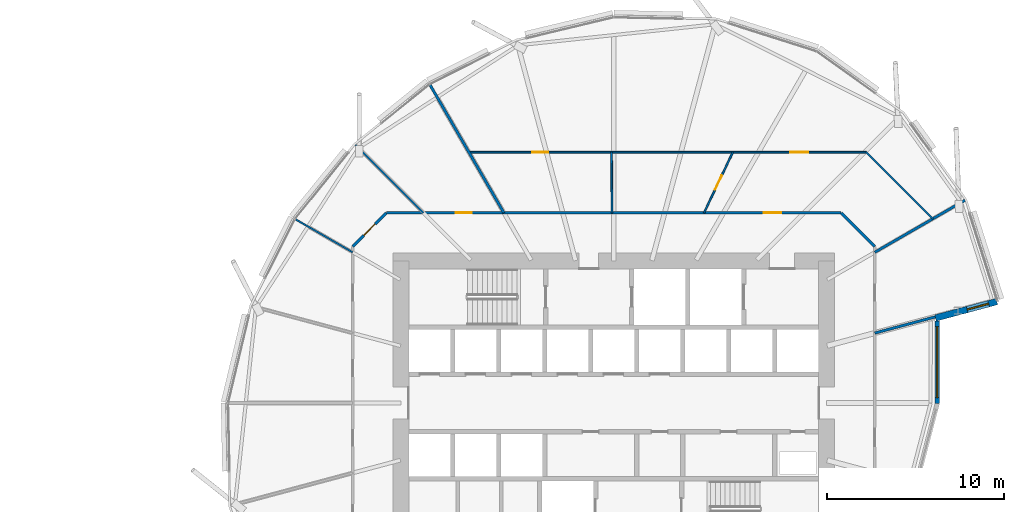
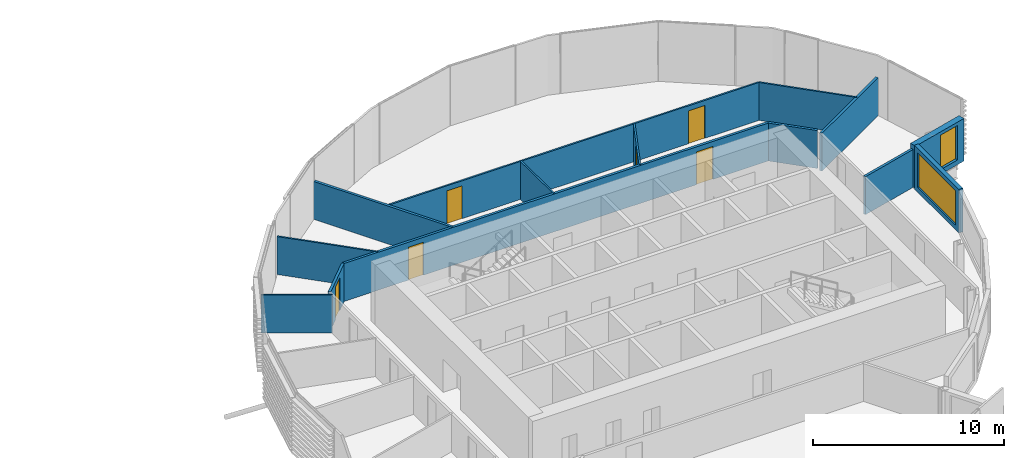
# One storey, part 26 of 37: 14 walls, 6 doors, 2 windows, 8 openings.
"""IFC4 building model written with IfcOpenShell, lengths in metres."""

import ifcopenshell
import ifcopenshell.guid

model = None  # the IFC model being written
_history = None  # IfcOwnerHistory: only IFC2X3 demands one
_inside = {}  # id of a spatial element -> (the spatial element, [elements in it])
_under = {}  # id of a project, library or spatial element -> (it, [spatial elements below it])
_declared = {}  # id of a project -> (the project, [libraries it declares])
_typed = {}  # id of a type object -> (the type object, [elements of that type])
_made_of = {}  # id of a material, layer set ... -> (it, [elements and type objects made of it])


def new_model(schema):
    """Start an empty IFC model of exactly this schema.

    Asked for "IFC4X3", IfcOpenShell would pick the latest addendum, in which some entities
    have other attributes; the version numbers below select the first issue.
    IFC2X3 requires an IfcOwnerHistory on every rooted entity: one is made here for all.
    """
    global model, _history
    if schema == "IFC4X3":
        model = ifcopenshell.file(schema_version=(4, 3, 0, 0))
    else:
        model = ifcopenshell.file(schema=schema)
    _inside.clear()
    _under.clear()
    _declared.clear()
    _typed.clear()
    _made_of.clear()
    _history = None
    if model.schema == "IFC2X3":
        org = make("IfcOrganization", Name="unknown")
        user = make(
            "IfcPersonAndOrganization",
            ThePerson=make("IfcPerson", FamilyName="unknown"),
            TheOrganization=org,
        )
        app = make(
            "IfcApplication",
            ApplicationDeveloper=org,
            Version="unknown",
            ApplicationFullName="unknown",
            ApplicationIdentifier="unknown",
        )
        _history = make(
            "IfcOwnerHistory",
            OwningUser=user,
            OwningApplication=app,
            ChangeAction="ADDED",
            CreationDate=0,
        )
    return model


def make(cls, **values):
    """One entity of the class cls with the attributes given. An attribute that is None is left unset."""
    return model.create_entity(
        cls, **{name: value for name, value in values.items() if value is not None}
    )


def rooted(cls, **values):
    """An entity with a GlobalId (a new one), such as an element, a storey or a relation."""
    return make(cls, GlobalId=ifcopenshell.guid.new(), OwnerHistory=_history, **values)


def si_unit(unit_type, name, prefix=None):
    """IfcSIUnit, for example si_unit("LENGTHUNIT", "METRE", prefix="MILLI")."""
    return make("IfcSIUnit", UnitType=unit_type, Prefix=prefix, Name=name)


def assignment(units):
    """IfcUnitAssignment: the units of a project."""
    return None if units is None else make("IfcUnitAssignment", Units=units)


def point(xyz):
    """IfcCartesianPoint."""
    return None if xyz is None else make("IfcCartesianPoint", Coordinates=xyz)


def direction(xyz):
    """IfcDirection."""
    return None if xyz is None else make("IfcDirection", DirectionRatios=xyz)


def frame(location, z_axis=None, x_axis=None):
    """IfcAxis2Placement3D, a coordinate frame: its origin and axes. An axis left out is left unset."""
    return make(
        "IfcAxis2Placement3D",
        Location=point(location),
        Axis=direction(z_axis),
        RefDirection=direction(x_axis),
    )


def frame_2d(location, x_axis=None):
    """IfcAxis2Placement2D, a coordinate frame in the plane: its origin and x axis."""
    return make(
        "IfcAxis2Placement2D", Location=point(location), RefDirection=direction(x_axis)
    )


def origin():
    """The frame at (0, 0, 0) with its axes left unset."""
    return frame((0.0, 0.0, 0.0))


def place(relative_to, where):
    """IfcLocalPlacement: puts the frame where relative to a parent placement (None: the world)."""
    return make(
        "IfcLocalPlacement", PlacementRelTo=relative_to, RelativePlacement=where
    )


def context(
    kind, dimensions, precision=None, world=None, true_north=None, identifier=None
):
    """IfcGeometricRepresentationContext, for example the 3D "Model" context."""
    return make(
        "IfcGeometricRepresentationContext",
        ContextIdentifier=identifier,
        ContextType=kind,
        CoordinateSpaceDimension=dimensions,
        Precision=precision,
        WorldCoordinateSystem=world,
        TrueNorth=true_north,
    )


def subcontext(parent, identifier, kind, view, scale=None):
    """IfcGeometricRepresentationSubContext, for example "Body" below "Model"."""
    return make(
        "IfcGeometricRepresentationSubContext",
        ContextIdentifier=identifier,
        ContextType=kind,
        ParentContext=parent,
        TargetScale=scale,
        TargetView=view,
    )


def project(units=None, contexts=None):
    """IfcProject with its units and contexts."""
    return rooted(
        "IfcProject",
        Name="project",
        RepresentationContexts=contexts,
        UnitsInContext=assignment(units),
    )


def spatial(cls, under=None, at=None, **own):
    """A site, building, storey or space (cls), placed at a placement, below another one or the project."""
    s = rooted(cls, ObjectPlacement=at, **own)
    if under is not None:
        _under.setdefault(under.id(), (under, []))[1].append(s)
    return s


def profile(cls, at=None, kind="AREA", **sizes):
    """A parametric profile (cls). Its sizes go by their IFC names, for example OverallWidth=200.0."""
    return make(cls, ProfileType=kind, Position=at, **sizes)


def rectangle(**sizes):
    """IfcRectangleProfileDef."""
    return profile("IfcRectangleProfileDef", **sizes)


def extrude(swept, where, along, depth):
    """IfcExtrudedAreaSolid: the profile swept, set in the frame where, extruded along a direction by depth."""
    return make(
        "IfcExtrudedAreaSolid",
        SweptArea=swept,
        Position=where,
        ExtrudedDirection=direction(along),
        Depth=depth,
    )


def shape(context_of_items, identifier, shape_type, items):
    """IfcShapeRepresentation: the items that make up one representation, for example the "Body"."""
    return make(
        "IfcShapeRepresentation",
        ContextOfItems=context_of_items,
        RepresentationIdentifier=identifier,
        RepresentationType=shape_type,
        Items=items,
    )


def material(Name=None, Category=None):
    """IfcMaterial."""
    return make("IfcMaterial", Name=Name, Category=Category)


def layer(
    of_material, thickness, ventilated=None, Name=None, Category=None, Priority=None
):
    """IfcMaterialLayer: one layer of a wall or slab, of a material (None: an air gap)."""
    return make(
        "IfcMaterialLayer",
        Material=of_material,
        LayerThickness=thickness,
        IsVentilated=ventilated,
        Name=Name,
        Category=Category,
        Priority=Priority,
    )


def layer_set(layers, Name=None):
    """IfcMaterialLayerSet."""
    return make("IfcMaterialLayerSet", MaterialLayers=layers, LayerSetName=Name)


def made_of(thing, what):
    """Note that an element or type object is made of a material, layer set ...; save() writes the relation."""
    if what is not None:
        _made_of.setdefault(what.id(), (what, []))[1].append(thing)
    return thing


def type_object(cls, material=None, **own):
    """A type object (cls), such as IfcWallType, which elements share."""
    return made_of(rooted(cls, **own), material)


def element(
    cls,
    number,
    at=None,
    inside=None,
    cuts=None,
    type_object=None,
    material=None,
    context=None,
    identifier="Body",
    shape_type=None,
    held_by="IfcProductDefinitionShape",
    body=None,
    shapes=None,
    **own,
):
    """One element of the class cls, such as IfcWall. Its Tag is "e" and its number.

    at: its placement. inside: the storey or other place that contains it. cuts: it is an
    opening in that element (IfcRelVoidsElement). A single representation is given by context,
    identifier, shape_type and body (its items); several are given by shapes. held_by: the class
    of the entity that holds the representations. save() writes the other relations.
    """
    e = rooted(cls, Tag="e%d" % number, ObjectPlacement=at, **own)
    if body is not None:
        shapes = [shape(context, identifier, shape_type, body)]
    if shapes is not None:
        e.Representation = make(held_by, Representations=shapes)
    if inside is not None:
        _inside.setdefault(inside.id(), (inside, []))[1].append(e)
    if cuts is not None:
        rooted(
            "IfcRelVoidsElement", RelatingBuildingElement=cuts, RelatedOpeningElement=e
        )
    if type_object is not None:
        _typed.setdefault(type_object.id(), (type_object, []))[1].append(e)
    return made_of(e, material)


def fill(opening, filler):
    """IfcRelFillsElement: the door or window that sits in an opening."""
    return rooted(
        "IfcRelFillsElement",
        RelatingOpeningElement=opening,
        RelatedBuildingElement=filler,
    )


def aggregate(whole, parts):
    """IfcRelAggregates: a whole, such as a stair, and the parts it consists of."""
    return rooted("IfcRelAggregates", RelatingObject=whole, RelatedObjects=parts)


def save(model, path):
    """Write the relations noted so far, then the file.

    IfcRelAggregates (storeys below a building ...), IfcRelContainedInSpatialStructure (elements
    in a storey), IfcRelDefinesByType, IfcRelAssociatesMaterial and IfcRelDeclares: one each for
    every whole, place, type object, material and project.
    """
    for whole, parts in _under.values():
        aggregate(whole, parts)
    for where, things in _inside.values():
        rooted(
            "IfcRelContainedInSpatialStructure",
            RelatedElements=things,
            RelatingStructure=where,
        )
    for kind, things in _typed.values():
        rooted("IfcRelDefinesByType", RelatedObjects=things, RelatingType=kind)
    for what, things in _made_of.values():
        rooted("IfcRelAssociatesMaterial", RelatedObjects=things, RelatingMaterial=what)
    for by, libraries in _declared.values():
        rooted("IfcRelDeclares", RelatingContext=by, RelatedDefinitions=libraries)
    model.write(path)


model = new_model("IFC4")

# Units and contexts
model_context = context("Model", 3, precision=1e-05, world=origin(), true_north=direction((0.0, 1.0)))
body_context = subcontext(model_context, "Body", "Model", "MODEL_VIEW")
ifc_project = project(units=[si_unit("LENGTHUNIT", "METRE"), si_unit("AREAUNIT", "SQUARE_METRE"), si_unit("VOLUMEUNIT", "CUBIC_METRE"), si_unit("PLANEANGLEUNIT", "RADIAN"), si_unit("MASSUNIT", "GRAM", prefix="KILO")], contexts=[model_context])

# Site, building, storey
site_placement = place(None, origin())
site = spatial("IfcSite", under=ifc_project, at=site_placement, CompositionType="ELEMENT")
building_placement = place(site_placement, origin())
building = spatial("IfcBuilding", under=site, at=building_placement, Name="Rimbun Link Towers", CompositionType="ELEMENT")
storey_placement = place(building_placement, frame((0.0, 0.0, 60.39990234375)))
storey = spatial("IfcBuildingStorey", under=building, at=storey_placement, Name="L14", CompositionType="ELEMENT", Elevation=60.39990234375)

# Wall, opening, window
ifc_material_1 = material(Name="Dark enamelled glass spandrel on insulated aluminium backpan", Category="aluminium")
ifc_layer_1 = layer(ifc_material_1, 0.25)
ifc_layer_set_1 = layer_set([ifc_layer_1], Name="CS dark enamelled spandrel wall 250")
wall_type_1 = type_object("IfcWallType", Name="CS dark enamelled spandrel wall 250", PredefinedType="STANDARD", material=ifc_layer_set_1)
wall_1_placement = place(storey_placement, frame((50.005859375, 4.6328125, 0.0), z_axis=(0.0, 0.0, 1.0), x_axis=(-0.000105030984, -0.999999994484, 0.0)))
wall_1 = element("IfcWall", 1, at=wall_1_placement, inside=storey, type_object=wall_type_1, Name="Crease spandrel wall", PredefinedType="STANDARD", context=body_context, shape_type="SweptSolid", body=[
    extrude(rectangle(XDim=4.64892578125, YDim=0.25, at=frame_2d((2.324462890625, 0.0))), origin(), (0.0, 0.0, 1.0), 2.78955078125),
])
opening_1_placement = place(wall_1_placement, frame((0.324462890625, 0.0, 0.300048828125)))
opening_1 = element("IfcOpeningElement", 2, at=opening_1_placement, cuts=wall_1, Name="Opening WR40H220", PredefinedType="OPENING", context=body_context, shape_type="SweptSolid", body=[
    extrude(rectangle(XDim=4.0, YDim=2.199951171875, at=frame_2d((2.0, 1.10009765625))), frame((0.0, 0.135009765625, 0.0), z_axis=(0.0, -1.0, 0.0), x_axis=(1.0, 0.0, 0.0)), (0.0, 0.0, 1.0), 0.27001953125),
])
ifc_material_2 = material(Name="Aluminium framed fixed window, dark tinted low-e glass", Category="aluminium")
window_type_1 = type_object("IfcWindowType", Name="WR ribbon window 4000X2200", PartitioningType="SINGLE_PANEL", PredefinedType="WINDOW", material=ifc_material_2)
window_1_placement = place(opening_1_placement, origin())
window_1 = element("IfcWindow", 3, at=window_1_placement, inside=storey, type_object=window_type_1, Name="Crease ribbon window", OverallHeight=2.199951171875, OverallWidth=4.0, PartitioningType="SINGLE_PANEL", PredefinedType="WINDOW", context=body_context, shape_type="SweptSolid", body=[
    extrude(rectangle(XDim=4.0, YDim=2.199951171875, at=frame_2d((2.0, 1.10009765625))), frame((0.0, 0.030029296875, 0.0), z_axis=(0.0, -1.0, 0.0), x_axis=(1.0, 0.0, 0.0)), (0.0, 0.0, 1.0), 0.06005859375),
])
fill(opening_1, window_1)

ifc_material_3 = material(Name="Dark enamelled glass spandrel on insulated aluminium backpan", Category="aluminium")
ifc_layer_2 = layer(ifc_material_3, 0.3701171875)
ifc_layer_set_2 = layer_set([ifc_layer_2], Name="CS dark enamelled spandrel wall 370")
wall_type_2 = type_object("IfcWallType", Name="CS dark enamelled spandrel wall 370", PredefinedType="STANDARD", material=ifc_layer_set_2)
wall_2_placement = place(storey_placement, frame((53.355712890625, 5.721923828125, 0.0), z_axis=(0.0, 0.0, 1.0), x_axis=(-0.965929787715, -0.258804260405, 0.0)))
wall_2 = element("IfcWall", 4, at=wall_2_placement, inside=storey, type_object=wall_type_2, Name="Crease spandrel wall", PredefinedType="STANDARD", context=body_context, shape_type="SweptSolid", body=[
    extrude(rectangle(XDim=3.580078125, YDim=0.3701171875, at=frame_2d((1.7900390625, 0.0))), origin(), (0.0, 0.0, 1.0), 2.711669921875),
])
opening_2_placement = place(wall_2_placement, frame((0.47900390625, 0.0, 0.300048828125)))
opening_2 = element("IfcOpeningElement", 5, at=opening_2_placement, cuts=wall_2, Name="Opening WR12H220", PredefinedType="OPENING", context=body_context, shape_type="SweptSolid", body=[
    extrude(rectangle(XDim=1.25, YDim=2.199951171875, at=frame_2d((0.625, 1.10009765625))), frame((0.0, 0.195068359375, 0.0), z_axis=(0.0, -1.0, 0.0), x_axis=(1.0, 0.0, 0.0)), (0.0, 0.0, 1.0), 0.39013671875),
])
ifc_material_4 = material(Name="Aluminium framed fixed window, dark tinted low-e glass", Category="aluminium")
window_type_2 = type_object("IfcWindowType", Name="WR ribbon window 1250X2200", PartitioningType="SINGLE_PANEL", PredefinedType="WINDOW", material=ifc_material_4)
window_2_placement = place(opening_2_placement, origin())
window_2 = element("IfcWindow", 6, at=window_2_placement, inside=storey, type_object=window_type_2, Name="Crease ribbon window", OverallHeight=2.199951171875, OverallWidth=1.25, PartitioningType="SINGLE_PANEL", PredefinedType="WINDOW", context=body_context, shape_type="SweptSolid", body=[
    extrude(rectangle(XDim=1.25, YDim=2.199951171875, at=frame_2d((0.625, 1.10009765625))), frame((0.0, 0.030029296875, 0.0), z_axis=(0.0, -1.0, 0.0), x_axis=(1.0, 0.0, 0.0)), (0.0, 0.0, 1.0), 0.06005859375),
])
fill(opening_2, window_2)

# Wall
ifc_material_5 = material(Name="Plasterboard on steel stud, mineral wool", Category="steel")
ifc_layer_3 = layer(ifc_material_5, 0.14990234375)
ifc_layer_set_3 = layer_set([ifc_layer_3], Name="Corridor wall EI 30 150 mm")
wall_type_3 = type_object("IfcWallType", Name="Corridor wall EI 30 150 mm", PredefinedType="PARTITIONING", material=ifc_layer_set_3)
wall_3_placement = place(storey_placement, frame((46.47509765625, 8.82666015625, 0.0), z_axis=(0.0, 0.0, 1.0), x_axis=(-0.707106781187, 0.707106781187, 0.0)))
element("IfcWall", 7, at=wall_3_placement, inside=storey, type_object=wall_type_3, Name="Corridor wall EI 30 150 mm", PredefinedType="PARTITIONING", context=body_context, shape_type="SweptSolid", body=[
    extrude(rectangle(XDim=2.684814453125, YDim=0.14990234375, at=frame_2d((1.34228515625, 0.0))), origin(), (0.0, 0.0, 1.0), 2.420166015625),
])

# Wall, opening, door
wall_4_placement = place(storey_placement, frame((17.02490234375, 8.82666015625, 0.0), z_axis=(0.0, 0.0, 1.0), x_axis=(0.707106781187, 0.707106781187, 0.0)))
wall_4 = element("IfcWall", 8, at=wall_4_placement, inside=storey, type_object=wall_type_3, Name="Corridor wall EI 30 150 mm", PredefinedType="PARTITIONING", context=body_context, shape_type="SweptSolid", body=[
    extrude(rectangle(XDim=2.684814453125, YDim=0.14990234375, at=frame_2d((1.34228515625, 0.0))), origin(), (0.0, 0.0, 1.0), 2.420166015625),
])
opening_3_placement = place(wall_4_placement, frame((0.892333984375, 0.0, 0.0)))
opening_3 = element("IfcOpeningElement", 9, at=opening_3_placement, cuts=wall_4, Name="Opening D02", PredefinedType="OPENING", context=body_context, shape_type="SweptSolid", body=[
    extrude(rectangle(XDim=0.89990234375, YDim=2.10009765625, at=frame_2d((0.449951171875, 1.050048828125))), frame((0.0, 0.0849609375, 0.0), z_axis=(0.0, -1.0, 0.0), x_axis=(1.0, 0.0, 0.0)), (0.0, 0.0, 1.0), 0.169921875),
])
ifc_material_6 = material(Name="Fire-resisting timber door leaf", Category="wood")
door_type_1 = type_object("IfcDoorType", Name="Fire door FD30S 900", OperationType="NOTDEFINED", PredefinedType="DOOR", material=ifc_material_6)
door_1_placement = place(opening_3_placement, origin())
door_1 = element("IfcDoor", 10, at=door_1_placement, inside=storey, type_object=door_type_1, Name="Fire door FD30S 900 to Cellular office", OperationType="SINGLE_SWING_RIGHT", OverallHeight=2.10009765625, OverallWidth=0.89990234375, PredefinedType="DOOR", context=body_context, shape_type="SweptSolid", body=[
    extrude(rectangle(XDim=0.89990234375, YDim=2.10009765625, at=frame_2d((0.449951171875, 1.050048828125))), frame((0.0, 0.02490234375, 0.0), z_axis=(0.0, -1.0, 0.0), x_axis=(1.0, 0.0, 0.0)), (0.0, 0.0, 1.0), 0.050048828125),
])
fill(opening_3, door_1)

# Wall, openings, doors
wall_5_placement = place(storey_placement, frame((18.92333984375, 10.72509765625, 0.0), z_axis=(0.0, 0.0, 1.0), x_axis=(1.0, 0.0, 0.0)))
wall_5 = element("IfcWall", 11, at=wall_5_placement, inside=storey, type_object=wall_type_3, Name="Corridor wall EI 30 150 mm", PredefinedType="PARTITIONING", context=body_context, shape_type="SweptSolid", body=[
    extrude(rectangle(XDim=25.6533203125, YDim=0.14990234375, at=frame_2d((12.82666015625, 0.0))), origin(), (0.0, 0.0, 1.0), 2.420166015625),
])
opening_4_placement = place(wall_5_placement, frame((21.28662109375, 0.0, 0.0)))
opening_4 = element("IfcOpeningElement", 12, at=opening_4_placement, cuts=wall_5, Name="Opening D01", PredefinedType="OPENING", context=body_context, shape_type="SweptSolid", body=[
    extrude(rectangle(XDim=1.0, YDim=2.10009765625, at=frame_2d((0.5, 1.050048828125))), frame((0.0, 0.0849609375, 0.0), z_axis=(0.0, -1.0, 0.0), x_axis=(1.0, 0.0, 0.0)), (0.0, 0.0, 1.0), 0.169921875),
])
opening_5_placement = place(wall_5_placement, frame((3.918212890625, 0.0, 0.0)))
opening_5 = element("IfcOpeningElement", 13, at=opening_5_placement, cuts=wall_5, Name="Opening D02", PredefinedType="OPENING", context=body_context, shape_type="SweptSolid", body=[
    extrude(rectangle(XDim=0.89990234375, YDim=2.10009765625, at=frame_2d((0.449951171875, 1.050048828125))), frame((0.0, 0.0849609375, 0.0), z_axis=(0.0, -1.0, 0.0), x_axis=(1.0, 0.0, 0.0)), (0.0, 0.0, 1.0), 0.169921875),
])
ifc_material_7 = material(Name="Fire-resisting timber door leaf", Category="wood")
door_type_2 = type_object("IfcDoorType", Name="Fire door FD30S 1000", OperationType="NOTDEFINED", PredefinedType="DOOR", material=ifc_material_7)
door_2_placement = place(opening_4_placement, origin())
door_2 = element("IfcDoor", 14, at=door_2_placement, inside=storey, type_object=door_type_2, Name="Fire door FD30S 1000 to Reception", OperationType="SINGLE_SWING_RIGHT", OverallHeight=2.10009765625, OverallWidth=1.0, PredefinedType="DOOR", context=body_context, shape_type="SweptSolid", body=[
    extrude(rectangle(XDim=1.0, YDim=2.10009765625, at=frame_2d((0.5, 1.050048828125))), frame((0.0, 0.02490234375, 0.0), z_axis=(0.0, -1.0, 0.0), x_axis=(1.0, 0.0, 0.0)), (0.0, 0.0, 1.0), 0.050048828125),
])
fill(opening_4, door_2)
door_3_placement = place(opening_5_placement, origin())
door_3 = element("IfcDoor", 15, at=door_3_placement, inside=storey, type_object=door_type_1, Name="Fire door FD30S 900 to Cellular office", OperationType="SINGLE_SWING_LEFT", OverallHeight=2.10009765625, OverallWidth=0.89990234375, PredefinedType="DOOR", context=body_context, shape_type="SweptSolid", body=[
    extrude(rectangle(XDim=0.89990234375, YDim=2.10009765625, at=frame_2d((0.449951171875, 1.050048828125))), frame((0.0, 0.02490234375, 0.0), z_axis=(0.0, -1.0, 0.0), x_axis=(1.0, 0.0, 0.0)), (0.0, 0.0, 1.0), 0.050048828125),
])
fill(opening_5, door_3)

# Wall, opening, door
ifc_material_8 = material(Name="Plasterboard on steel stud", Category="steel")
ifc_layer_4 = layer(ifc_material_8, 0.10009765625)
ifc_layer_set_4 = layer_set([ifc_layer_4], Name="Plasterboard partition 100 mm")
wall_type_4 = type_object("IfcWallType", Name="Plasterboard partition 100 mm", PredefinedType="PARTITIONING", material=ifc_layer_set_4)
wall_6_placement = place(storey_placement, frame((36.843017578125, 10.72509765625, 0.0), z_axis=(0.0, 0.0, 1.0), x_axis=(0.429014723315, 0.903297496498, 0.0)))
wall_6 = element("IfcWall", 16, at=wall_6_placement, inside=storey, type_object=wall_type_4, Name="Plasterboard partition 100 mm", PredefinedType="PARTITIONING", context=body_context, shape_type="SweptSolid", body=[
    extrude(rectangle(XDim=3.7861328125, YDim=0.10009765625, at=frame_2d((1.89306640625, 0.0))), origin(), (0.0, 0.0, 1.0), 2.420166015625),
])
opening_6_placement = place(wall_6_placement, frame((1.443115234375, 0.0, 0.0)))
opening_6 = element("IfcOpeningElement", 17, at=opening_6_placement, cuts=wall_6, Name="Opening D04", PredefinedType="OPENING", context=body_context, shape_type="SweptSolid", body=[
    extrude(rectangle(XDim=0.89990234375, YDim=2.10009765625, at=frame_2d((0.449951171875, 1.050048828125))), frame((0.0, 0.06005859375, 0.0), z_axis=(0.0, -1.0, 0.0), x_axis=(1.0, 0.0, 0.0)), (0.0, 0.0, 1.0), 0.1201171875),
])
ifc_material_9 = material(Name="Timber door leaf", Category="wood")
door_type_3 = type_object("IfcDoorType", Name="Flush door 900", OperationType="NOTDEFINED", PredefinedType="DOOR", material=ifc_material_9)
door_4_placement = place(opening_6_placement, origin())
door_4 = element("IfcDoor", 18, at=door_4_placement, inside=storey, type_object=door_type_3, Name="Flush door 900 to Meeting room", OperationType="SINGLE_SWING_RIGHT", OverallHeight=2.10009765625, OverallWidth=0.89990234375, PredefinedType="DOOR", context=body_context, shape_type="SweptSolid", body=[
    extrude(rectangle(XDim=0.89990234375, YDim=2.10009765625, at=frame_2d((0.449951171875, 1.050048828125))), frame((0.0, 0.02490234375, 0.0), z_axis=(0.0, -1.0, 0.0), x_axis=(1.0, 0.0, 0.0)), (0.0, 0.0, 1.0), 0.050048828125),
])
fill(opening_6, door_4)

# Wall, openings, doors
wall_7_placement = place(storey_placement, frame((23.58349609375, 14.14501953125, 0.0), z_axis=(0.0, 0.0, 1.0), x_axis=(1.0, 0.0, 0.0)))
wall_7 = element("IfcWall", 19, at=wall_7_placement, inside=storey, type_object=wall_type_4, Name="Plasterboard partition 100 mm", PredefinedType="PARTITIONING", context=body_context, shape_type="SweptSolid", body=[
    extrude(rectangle(XDim=22.409912109375, YDim=0.10009765625, at=frame_2d((11.205078125, 0.0))), origin(), (0.0, 0.0, 1.0), 2.420166015625),
])
opening_7_placement = place(wall_7_placement, frame((18.130126953125, 0.0, 0.0)))
opening_7 = element("IfcOpeningElement", 20, at=opening_7_placement, cuts=wall_7, Name="Opening D03", PredefinedType="OPENING", context=body_context, shape_type="SweptSolid", body=[
    extrude(rectangle(XDim=1.0, YDim=2.10009765625, at=frame_2d((0.5, 1.050048828125))), frame((0.0, 0.06005859375, 0.0), z_axis=(0.0, -1.0, 0.0), x_axis=(1.0, 0.0, 0.0)), (0.0, 0.0, 1.0), 0.1201171875),
])
opening_8_placement = place(wall_7_placement, frame((3.572021484375, 0.0, 0.0)))
opening_8 = element("IfcOpeningElement", 21, at=opening_8_placement, cuts=wall_7, Name="Opening D04", PredefinedType="OPENING", context=body_context, shape_type="SweptSolid", body=[
    extrude(rectangle(XDim=0.89990234375, YDim=2.10009765625, at=frame_2d((0.449951171875, 1.050048828125))), frame((0.0, 0.06005859375, 0.0), z_axis=(0.0, -1.0, 0.0), x_axis=(1.0, 0.0, 0.0)), (0.0, 0.0, 1.0), 0.1201171875),
])
ifc_material_10 = material(Name="Timber door leaf", Category="wood")
door_type_4 = type_object("IfcDoorType", Name="Flush door 1000", OperationType="NOTDEFINED", PredefinedType="DOOR", material=ifc_material_10)
door_5_placement = place(opening_7_placement, origin())
door_5 = element("IfcDoor", 22, at=door_5_placement, inside=storey, type_object=door_type_4, Name="Flush door 1000 to Open office", OperationType="SINGLE_SWING_LEFT", OverallHeight=2.10009765625, OverallWidth=1.0, PredefinedType="DOOR", context=body_context, shape_type="SweptSolid", body=[
    extrude(rectangle(XDim=1.0, YDim=2.10009765625, at=frame_2d((0.5, 1.050048828125))), frame((0.0, 0.02490234375, 0.0), z_axis=(0.0, -1.0, 0.0), x_axis=(1.0, 0.0, 0.0)), (0.0, 0.0, 1.0), 0.050048828125),
])
fill(opening_7, door_5)
door_6_placement = place(opening_8_placement, origin())
door_6 = element("IfcDoor", 23, at=door_6_placement, inside=storey, type_object=door_type_3, Name="Flush door 900 to Print room", OperationType="SINGLE_SWING_LEFT", OverallHeight=2.10009765625, OverallWidth=0.89990234375, PredefinedType="DOOR", context=body_context, shape_type="SweptSolid", body=[
    extrude(rectangle(XDim=0.89990234375, YDim=2.10009765625, at=frame_2d((0.449951171875, 1.050048828125))), frame((0.0, 0.02490234375, 0.0), z_axis=(0.0, -1.0, 0.0), x_axis=(1.0, 0.0, 0.0)), (0.0, 0.0, 1.0), 0.050048828125),
])
fill(opening_8, door_6)

# Walls
wall_8_placement = place(storey_placement, frame((49.747314453125, 10.390869140625, 0.0), z_axis=(0.0, 0.0, 1.0), x_axis=(-0.707083787713, 0.707129773912, 0.0)))
element("IfcWall", 24, at=wall_8_placement, inside=storey, type_object=wall_type_4, Name="Plasterboard partition 100 mm", PredefinedType="PARTITIONING", context=body_context, shape_type="SweptSolid", body=[
    extrude(rectangle(XDim=5.30908203125, YDim=0.10009765625, at=frame_2d((2.654541015625, 0.0))), origin(), (0.0, 0.0, 1.0), 2.420166015625),
])
wall_9_placement = place(storey_placement, frame((31.62744140625, 14.14501953125, 0.0), z_axis=(0.0, 0.0, 1.0), x_axis=(0.008637598952, -0.999962695246, 0.0)))
element("IfcWall", 25, at=wall_9_placement, inside=storey, type_object=wall_type_4, Name="Plasterboard partition 100 mm", PredefinedType="PARTITIONING", context=body_context, shape_type="SweptSolid", body=[
    extrude(rectangle(XDim=3.420166015625, YDim=0.10009765625, at=frame_2d((1.7099609375, 0.0))), origin(), (0.0, 0.0, 1.0), 2.420166015625),
])
wall_10_placement = place(storey_placement, frame((17.184326171875, 14.565673828125, 0.0), z_axis=(0.0, 0.0, 1.0), x_axis=(0.707106781187, -0.707106781187, 0.0)))
element("IfcWall", 26, at=wall_10_placement, inside=storey, type_object=wall_type_4, Name="Plasterboard partition 100 mm", PredefinedType="PARTITIONING", context=body_context, shape_type="SweptSolid", body=[
    extrude(rectangle(XDim=5.431396484375, YDim=0.10009765625, at=frame_2d((2.7158203125, 0.0))), origin(), (0.0, 0.0, 1.0), 2.420166015625),
])
wall_11_placement = place(storey_placement, frame((13.788330078125, 10.3701171875, 0.0), z_axis=(0.0, 0.0, 1.0), x_axis=(0.866023494941, -0.500003306199, 0.0)))
element("IfcWall", 27, at=wall_11_placement, inside=storey, type_object=wall_type_4, Name="Plasterboard partition 100 mm", PredefinedType="PARTITIONING", context=body_context, shape_type="SweptSolid", body=[
    extrude(rectangle(XDim=3.7373046875, YDim=0.10009765625, at=frame_2d((1.86865234375, 0.0))), origin(), (0.0, 0.0, 1.0), 2.420166015625),
])
ifc_material_11 = material(Name="Plasterboard on steel stud, mineral wool", Category="steel")
ifc_layer_5 = layer(ifc_material_11, 0.14990234375)
ifc_layer_set_5 = layer_set([ifc_layer_5], Name="Tenancy separation wall EI 60 150 mm")
wall_type_5 = type_object("IfcWallType", Name="Tenancy separation wall EI 60 150 mm", PredefinedType="PARTITIONING", material=ifc_layer_set_5)
wall_12_placement = place(storey_placement, frame((25.557861328125, 10.72509765625, 0.0), z_axis=(0.0, 0.0, 1.0), x_axis=(-0.499994755589, 0.866028431625, 0.0)))
element("IfcWall", 28, at=wall_12_placement, inside=storey, type_object=wall_type_5, Name="Tenancy separation wall EI 60 150 mm", PredefinedType="PARTITIONING", context=body_context, shape_type="SweptSolid", body=[
    extrude(rectangle(XDim=8.35595703125, YDim=0.14990234375, at=frame_2d((4.177978515625, 0.0))), origin(), (0.0, 0.0, 1.0), 2.420166015625),
])
wall_13_placement = place(storey_placement, frame((46.47509765625, 3.945556640625, 0.0), z_axis=(0.0, 0.0, 1.0), x_axis=(0.965923943481, 0.258826071737, 0.0)))
element("IfcWall", 29, at=wall_13_placement, inside=storey, type_object=wall_type_5, Name="Tenancy separation wall EI 60 150 mm", PredefinedType="PARTITIONING", context=body_context, shape_type="SweptSolid", body=[
    extrude(rectangle(XDim=3.52587890625, YDim=0.14990234375, at=frame_2d((1.762939453125, 0.0))), origin(), (0.0, 0.0, 1.0), 2.420166015625),
])
wall_14_placement = place(storey_placement, frame((46.47509765625, 8.50146484375, 0.0), z_axis=(0.0, 0.0, 1.0), x_axis=(0.866019468283, 0.500010280449, 0.0)))
element("IfcWall", 30, at=wall_14_placement, inside=storey, type_object=wall_type_5, Name="Tenancy separation wall EI 60 150 mm", PredefinedType="PARTITIONING", context=body_context, shape_type="SweptSolid", body=[
    extrude(rectangle(XDim=5.8740234375, YDim=0.14990234375, at=frame_2d((2.93701171875, 0.0))), origin(), (0.0, 0.0, 1.0), 2.420166015625),
])

save(model, "model.ifc")
